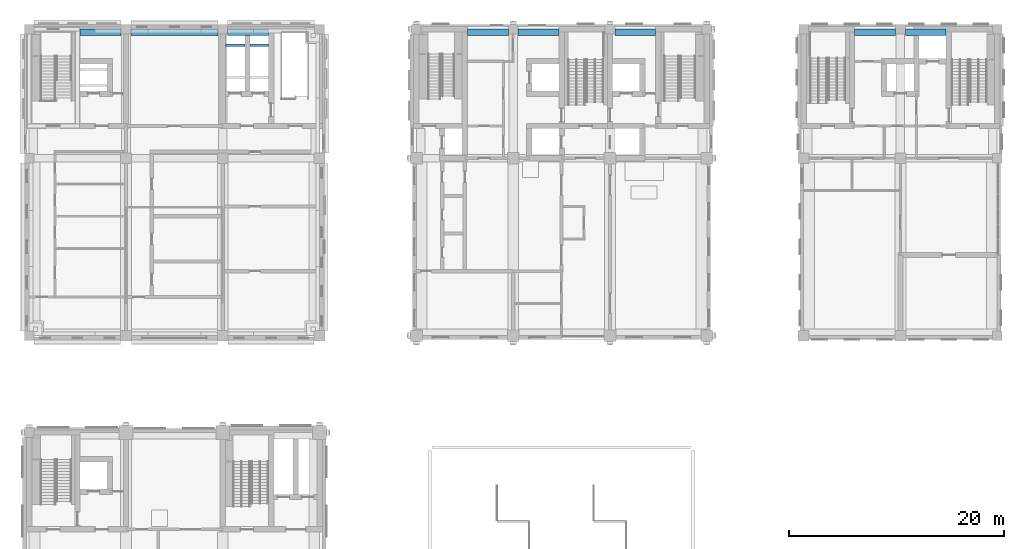
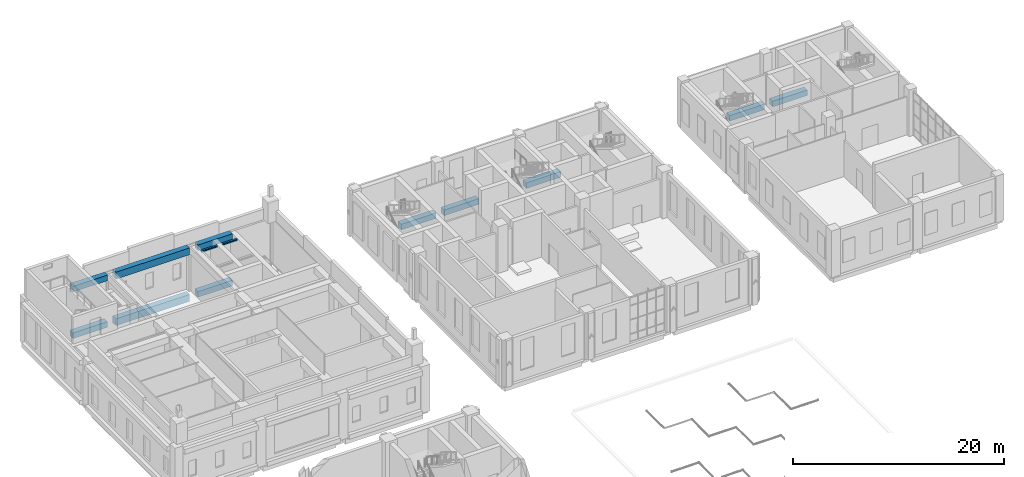
# One storey, part 8 of 37: 13 beams.
"""IFC4 building model written with IfcOpenShell, lengths in metres."""

from ifc_helpers import new_model, si_unit, direction, frame, origin, origin_2d, place, context, subcontext, project, spatial, rectangle, i_section, extrude, material, material_profile, profile_set, type_object, element, save


model = new_model("IFC4")

# Units and contexts
model_context = context("Model", 3, precision=1e-05, world=origin(), true_north=direction((0.0, 1.0)))
body_context = subcontext(model_context, "Body", "Model", "MODEL_VIEW")
ifc_project = project(units=[si_unit("LENGTHUNIT", "METRE"), si_unit("AREAUNIT", "SQUARE_METRE"), si_unit("VOLUMEUNIT", "CUBIC_METRE"), si_unit("PLANEANGLEUNIT", "RADIAN"), si_unit("MASSUNIT", "GRAM", prefix="KILO")], contexts=[model_context])

# Site, building, storey
site_placement = place(None, origin())
site = spatial("IfcSite", under=ifc_project, at=site_placement, CompositionType="ELEMENT")
building_placement = place(site_placement, origin())
building = spatial("IfcBuilding", under=site, at=building_placement, Name="Aurelan Courthouse", CompositionType="ELEMENT")
storey_placement = place(building_placement, frame((0.0, 0.0, 17.39990234375)))
storey = spatial("IfcBuildingStorey", under=building, at=storey_placement, Name="L03", CompositionType="ELEMENT", Elevation=17.39990234375)

# Beams
ifc_material_1 = material(Name="Steel S355", Category="steel")
ifc_material_profile_1 = material_profile(ifc_material_1, i_section(OverallWidth=0.199951171875, OverallDepth=0.18994140625, WebThickness=0.006591796875, FlangeThickness=0.010009765625, FilletRadius=0.01806640625, at=origin_2d()), Name="HEA 200")
ifc_profile_set_1 = profile_set([ifc_material_profile_1], Name="Steel S355")
beam_type_1 = type_object("IfcBeamType", Name="Hoist beam HEA 200", PredefinedType="BEAM", material=ifc_profile_set_1)
beam_1_placement = place(storey_placement, frame((18.25, 64.5, 5.05517578125), z_axis=(1.0, 0.0, 0.0), x_axis=(0.0, 1.0, 0.0)))
element("IfcBeam", 1, at=beam_1_placement, inside=storey, type_object=beam_type_1, Name="Hoist beam HB-V6-C1-2", PredefinedType="BEAM", context=body_context, shape_type="SweptSolid", body=[
    extrude(i_section(OverallWidth=0.199951171875, OverallDepth=0.18994140625, WebThickness=0.006591796875, FlangeThickness=0.010009765625, FilletRadius=0.01806640625, at=origin_2d()), origin(), (0.0, 0.0, 1.0), 1.800048828125),
])
beam_2_placement = place(storey_placement, frame((20.550048828125, 64.5, 5.05517578125), z_axis=(1.0, 0.0, 0.0), x_axis=(0.0, 1.0, 0.0)))
element("IfcBeam", 2, at=beam_2_placement, inside=storey, type_object=beam_type_1, Name="Hoist beam HB-V6-C2-2", PredefinedType="BEAM", context=body_context, shape_type="SweptSolid", body=[
    extrude(i_section(OverallWidth=0.199951171875, OverallDepth=0.18994140625, WebThickness=0.006591796875, FlangeThickness=0.010009765625, FilletRadius=0.01806640625, at=origin_2d()), origin(), (0.0, 0.0, 1.0), 1.699951171875),
])
ifc_material_2 = material(Name="Concrete C50", Category="concrete")
ifc_material_profile_2 = material_profile(ifc_material_2, rectangle(XDim=0.60009765625, YDim=0.64990234375, at=origin_2d()), Name="RC 600 x 650")
ifc_profile_set_2 = profile_set([ifc_material_profile_2], Name="Concrete C50")
beam_type_2 = type_object("IfcBeamType", Name="RC spandrel beam 600 x 650", PredefinedType="SPANDREL", material=ifc_profile_set_2)
for number, where, z_axis, x_axis, name in (
    (3, (40.75, 65.699951171875, -0.574951171875), (1.0, 0.0, 0.0), (0.0, 1.0, 0.0), "Spandrel beam SB-F-5-6"),
    (4, (45.449951171875, 65.699951171875, -0.574951171875), (1.0, 0.0, 0.0), (0.0, 1.0, 0.0), "Spandrel beam SB-F-6-7"),
    (5, (54.449951171875, 65.699951171875, -0.574951171875), (1.0, 0.0, 0.0), (0.0, 1.0, 0.0), "Spandrel beam SB-F-7-8"),
    (6, (76.75, 65.699951171875, -0.574951171875), (1.0, 0.0, 0.0), (0.0, 1.0, 0.0), "Spandrel beam SB-F-9-10"),
    (7, (81.449951171875, 65.699951171875, -0.574951171875), (1.0, 0.0, 0.0), (0.0, 1.0, 0.0), "Spandrel beam SB-F-10-11"),
    (8, (4.75, 65.699951171875, -0.574951171875), (1.0, 0.0, 0.0), (0.0, 1.0, 0.0), "Spandrel beam SB-F-1-2"),
    (9, (18.449951171875, 65.699951171875, -0.574951171875), (1.0, 0.0, 0.0), (0.0, 1.0, 0.0), "Spandrel beam SB-F-3-4"),
    (10, (4.75, 65.699951171875, 4.8251953125), (1.0, 0.0, 0.0), (0.0, 1.0, 0.0), "Spandrel beam SB-F-1-2R"),
    (11, (18.449951171875, 65.699951171875, 4.8251953125), (1.0, 0.0, 0.0), (0.0, 1.0, 0.0), "Spandrel beam SB-F-3-4R"),
):
    element("IfcBeam", number, at=place(storey_placement, frame(where, z_axis=z_axis, x_axis=x_axis)), inside=storey, type_object=beam_type_2, Name=name, PredefinedType="SPANDREL", context=body_context, shape_type="SweptSolid", body=[
        extrude(rectangle(XDim=0.60009765625, YDim=0.64990234375, at=origin_2d()), origin(), (0.0, 0.0, 1.0), 3.800048828125),
    ])
ifc_material_profile_3 = material_profile(ifc_material_2, rectangle(XDim=0.60009765625, YDim=0.800048828125, at=origin_2d()), Name="RC 600 x 800")
ifc_profile_set_3 = profile_set([ifc_material_profile_3], Name="Concrete C50")
beam_type_3 = type_object("IfcBeamType", Name="RC spandrel beam 600 x 800", PredefinedType="SPANDREL", material=ifc_profile_set_3)
for number, where, z_axis, x_axis, name in (
    (12, (9.449951171875, 65.699951171875, -0.64990234375), (1.0, 0.0, 0.0), (0.0, 1.0, 0.0), "Spandrel beam SB-F-2-3"),
    (13, (9.449951171875, 65.699951171875, 4.75), (1.0, 0.0, 0.0), (0.0, 1.0, 0.0), "Spandrel beam SB-F-2-3R"),
):
    element("IfcBeam", number, at=place(storey_placement, frame(where, z_axis=z_axis, x_axis=x_axis)), inside=storey, type_object=beam_type_3, Name=name, PredefinedType="SPANDREL", context=body_context, shape_type="SweptSolid", body=[
        extrude(rectangle(XDim=0.60009765625, YDim=0.800048828125, at=origin_2d()), origin(), (0.0, 0.0, 1.0), 8.10009765625),
    ])

save(model, "model.ifc")
